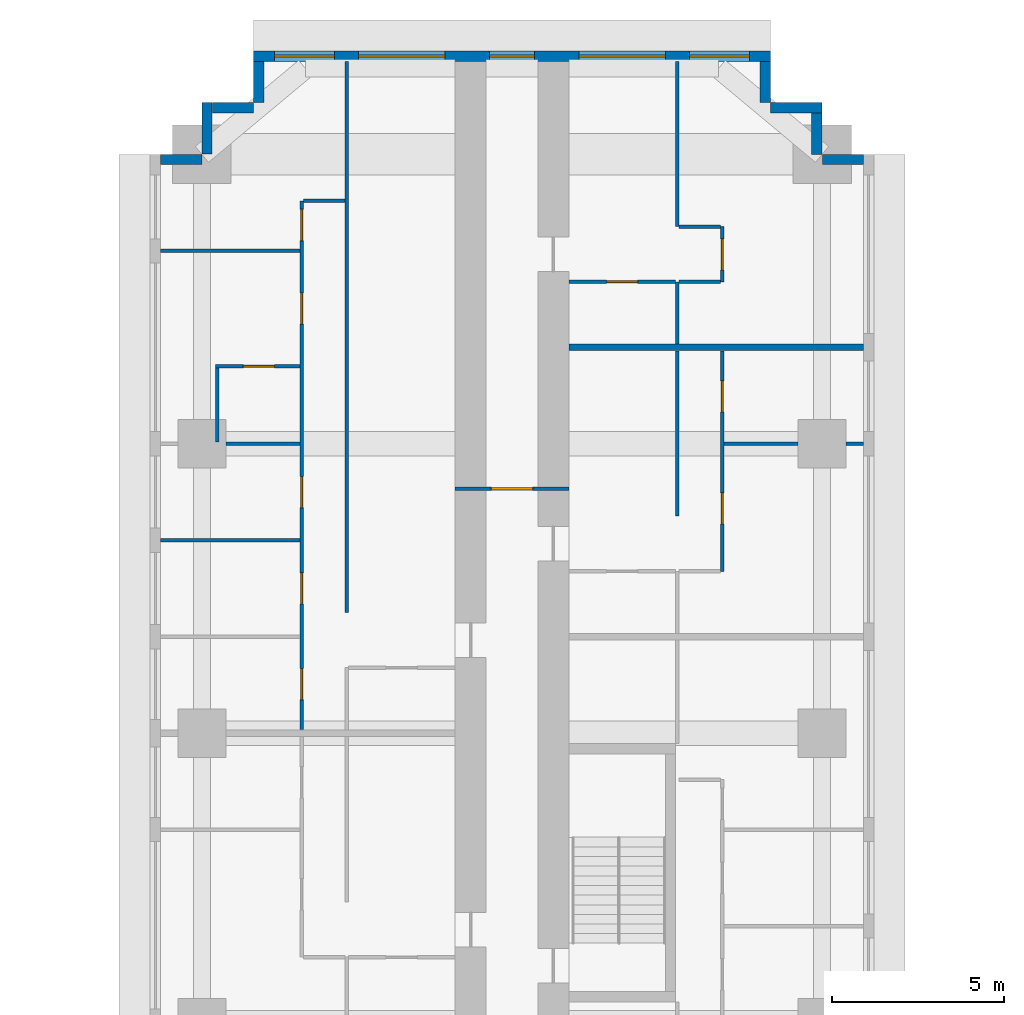
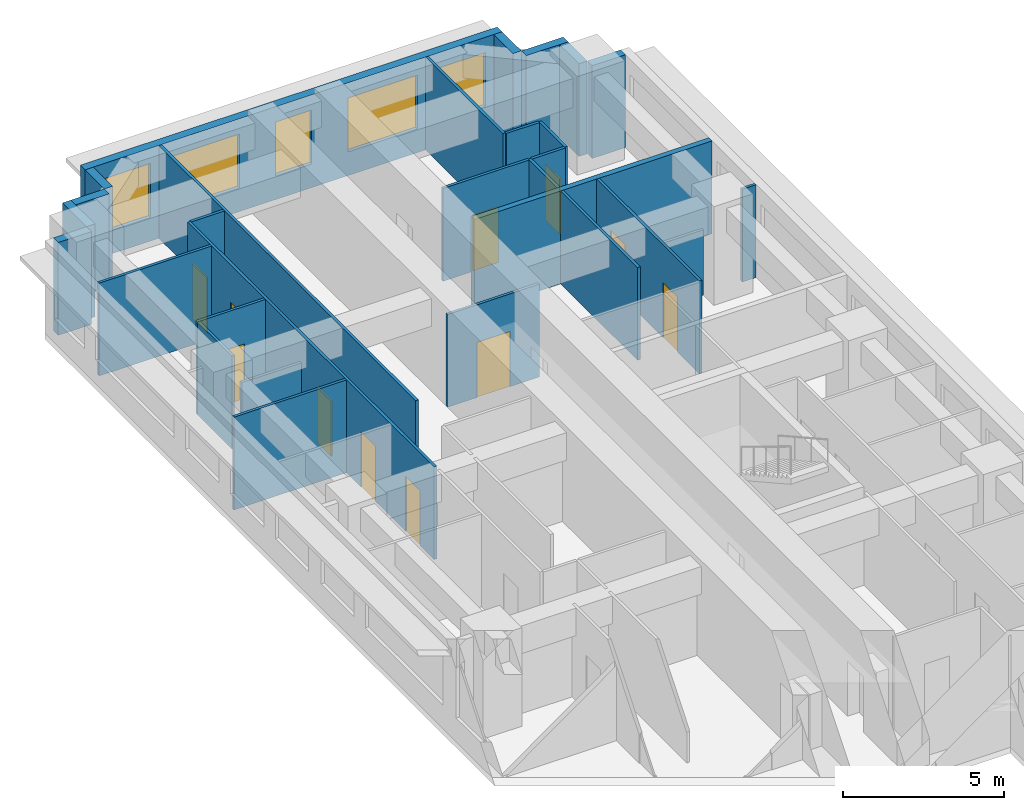
# One storey, part 13 of 15: 29 walls, 11 doors, 5 windows, 16 openings.
"""IFC4 building model written with IfcOpenShell, lengths in metres."""

from ifc_helpers import new_model, si_unit, direction, frame, frame_2d, origin, place, context, subcontext, project, spatial, rectangle, extrude, material, layer, layer_set, type_object, element, fill, save


model = new_model("IFC4")

# Units and contexts
model_context = context("Model", 3, precision=1e-05, world=origin(), true_north=direction((0.0, 1.0)))
body_context = subcontext(model_context, "Body", "Model", "MODEL_VIEW")
ifc_project = project(units=[si_unit("LENGTHUNIT", "METRE"), si_unit("AREAUNIT", "SQUARE_METRE"), si_unit("VOLUMEUNIT", "CUBIC_METRE"), si_unit("PLANEANGLEUNIT", "RADIAN"), si_unit("MASSUNIT", "GRAM", prefix="KILO")], contexts=[model_context])

# Site, building, storey
site_placement = place(None, origin())
site = spatial("IfcSite", under=ifc_project, at=site_placement, CompositionType="ELEMENT")
building_placement = place(site_placement, origin())
building = spatial("IfcBuilding", under=site, at=building_placement, Name="Impinga Residences", CompositionType="ELEMENT")
storey_placement = place(building_placement, frame((0.0, 0.0, 86.0)))
storey = spatial("IfcBuildingStorey", under=building, at=storey_placement, Name="L21", CompositionType="ELEMENT", Elevation=86.0)

# Wall, opening, door
ifc_material_1 = material(Name="Concrete blockwork", Category="masonry")
ifc_layer_1 = layer(ifc_material_1, 0.10009765625)
ifc_layer_set_1 = layer_set([ifc_layer_1], Name="CP1 core room partition, blockwork 100")
wall_type_1 = type_object("IfcWallType", Name="CP1 core room partition, blockwork 100", PredefinedType="PARTITIONING", material=ifc_layer_set_1)
wall_1_placement = place(storey_placement, frame((-1.64990234375, 35.33203125, 0.0), z_axis=(0.0, 0.0, 1.0), x_axis=(1.0, 0.0, 0.0)))
wall_1 = element("IfcWall", 1, at=wall_1_placement, inside=storey, type_object=wall_type_1, Name="Core room partition, blockwork L21:N:SCR", PredefinedType="PARTITIONING", context=body_context, shape_type="SweptSolid", body=[
    extrude(rectangle(XDim=3.2998046875, YDim=0.10009765625, at=frame_2d((1.64990234375, 0.0))), origin(), (0.0, 0.0, 1.0), 3.530029296875),
])
opening_1_placement = place(wall_1_placement, frame((1.050048828125, 0.0, 0.0)))
opening_1 = element("IfcOpeningElement", 2, at=opening_1_placement, cuts=wall_1, Name="Opening D3", PredefinedType="OPENING", context=body_context, shape_type="SweptSolid", body=[
    extrude(rectangle(XDim=1.199951171875, YDim=2.10009765625, at=frame_2d((0.60009765625, 1.050048828125))), frame((0.0, 0.06005859375, 0.0), z_axis=(0.0, -1.0, 0.0), x_axis=(1.0, 0.0, 0.0)), (0.0, 0.0, 1.0), 0.1201171875),
])
ifc_material_2 = material(Name="Timber door set", Category="wood")
door_type_1 = type_object("IfcDoorType", Name="D3 room door, leaf and a half 1200x2100", OperationType="DOUBLE_SWING_LEFT", PredefinedType="DOOR", material=ifc_material_2)
door_1_placement = place(opening_1_placement, origin())
door_1 = element("IfcDoor", 3, at=door_1_placement, inside=storey, type_object=door_type_1, Name="Corridor smoke door N", OperationType="DOUBLE_SWING_LEFT", OverallHeight=2.10009765625, OverallWidth=1.199951171875, PredefinedType="DOOR", context=body_context, shape_type="SweptSolid", body=[
    extrude(rectangle(XDim=1.199951171875, YDim=2.10009765625, at=frame_2d((0.60009765625, 1.050048828125))), frame((0.0, 0.02490234375, 0.0), z_axis=(0.0, -1.0, 0.0), x_axis=(1.0, 0.0, 0.0)), (0.0, 0.0, 1.0), 0.050048828125),
])
fill(opening_1, door_1)

# Walls
ifc_material_3 = material(Name="Terracotta rainscreen on blockwork", Category="masonry")
ifc_layer_2 = layer(ifc_material_3, 0.300048828125)
ifc_layer_set_2 = layer_set([ifc_layer_2], Name="EW1 external wall, terracotta rainscreen on blockwork 300")
wall_type_2 = type_object("IfcWallType", Name="EW1 external wall, terracotta rainscreen on blockwork 300", PredefinedType="SOLIDWALL", material=ifc_layer_set_2)
wall_2_placement = place(storey_placement, frame((-10.199951171875, 44.881591796875, 0.0), z_axis=(0.0, 0.0, 1.0), x_axis=(1.0, 0.0, 0.0)))
element("IfcWall", 4, at=wall_2_placement, inside=storey, type_object=wall_type_2, Name="External wall EW1 L21", PredefinedType="SOLIDWALL", context=body_context, shape_type="SweptSolid", body=[
    extrude(rectangle(XDim=1.199951171875, YDim=0.300048828125, at=frame_2d((0.60009765625, 0.0))), origin(), (0.0, 0.0, 1.0), 3.530029296875),
])
wall_3_placement = place(storey_placement, frame((-8.85009765625, 45.03662109375, 0.0), z_axis=(0.0, 0.0, 1.0), x_axis=(0.0, 1.0, 0.0)))
element("IfcWall", 5, at=wall_3_placement, inside=storey, type_object=wall_type_2, Name="External wall EW1 L21", PredefinedType="SOLIDWALL", context=body_context, shape_type="SweptSolid", body=[
    extrude(rectangle(XDim=1.494873046875, YDim=0.300048828125, at=frame_2d((0.74755859375, 0.0))), origin(), (0.0, 0.0, 1.0), 3.530029296875),
])
wall_4_placement = place(storey_placement, frame((-8.699951171875, 46.381591796875, 0.0), z_axis=(0.0, 0.0, 1.0), x_axis=(1.0, 0.0, 0.0)))
element("IfcWall", 6, at=wall_4_placement, inside=storey, type_object=wall_type_2, Name="External wall EW1 L21", PredefinedType="SOLIDWALL", context=body_context, shape_type="SweptSolid", body=[
    extrude(rectangle(XDim=1.199951171875, YDim=0.300048828125, at=frame_2d((0.60009765625, 0.0))), origin(), (0.0, 0.0, 1.0), 3.530029296875),
])
wall_5_placement = place(storey_placement, frame((-7.35009765625, 46.53662109375, 0.0), z_axis=(0.0, 0.0, 1.0), x_axis=(0.0, 1.0, 0.0)))
element("IfcWall", 7, at=wall_5_placement, inside=storey, type_object=wall_type_2, Name="External wall EW1 L21", PredefinedType="SOLIDWALL", context=body_context, shape_type="SweptSolid", body=[
    extrude(rectangle(XDim=1.19482421875, YDim=0.300048828125, at=frame_2d((0.597412109375, 0.0))), origin(), (0.0, 0.0, 1.0), 3.530029296875),
])

# Wall, openings, windows
wall_6_placement = place(storey_placement, frame((-7.5, 47.881591796875, 0.0), z_axis=(0.0, 0.0, 1.0), x_axis=(1.0, 0.0, 0.0)))
wall_6 = element("IfcWall", 8, at=wall_6_placement, inside=storey, type_object=wall_type_2, Name="External wall EW1 L21", PredefinedType="SOLIDWALL", context=body_context, shape_type="SweptSolid", body=[
    extrude(rectangle(XDim=15.0, YDim=0.300048828125, at=frame_2d((7.5, 0.0))), origin(), (0.0, 0.0, 1.0), 3.530029296875),
])
opening_2_placement = place(wall_6_placement, frame((0.60009765625, 0.0, 0.89990234375)))
opening_2 = element("IfcOpeningElement", 9, at=opening_2_placement, cuts=wall_6, Name="Opening W1", PredefinedType="OPENING", context=body_context, shape_type="SweptSolid", body=[
    extrude(rectangle(XDim=1.75, YDim=2.050048828125, at=frame_2d((0.875, 1.02490234375))), frame((0.0, 0.159912109375, 0.0), z_axis=(0.0, -1.0, 0.0), x_axis=(1.0, 0.0, 0.0)), (0.0, 0.0, 1.0), 0.320068359375),
])
opening_3_placement = place(wall_6_placement, frame((3.050048828125, 0.0, 0.89990234375)))
opening_3 = element("IfcOpeningElement", 10, at=opening_3_placement, cuts=wall_6, Name="Opening W2", PredefinedType="OPENING", context=body_context, shape_type="SweptSolid", body=[
    extrude(rectangle(XDim=2.5, YDim=2.050048828125, at=frame_2d((1.25, 1.02490234375))), frame((0.0, 0.159912109375, 0.0), z_axis=(0.0, -1.0, 0.0), x_axis=(1.0, 0.0, 0.0)), (0.0, 0.0, 1.0), 0.320068359375),
])
opening_4_placement = place(wall_6_placement, frame((6.85009765625, 0.0, 0.89990234375)))
opening_4 = element("IfcOpeningElement", 11, at=opening_4_placement, cuts=wall_6, Name="Opening WE1", PredefinedType="OPENING", context=body_context, shape_type="SweptSolid", body=[
    extrude(rectangle(XDim=1.300048828125, YDim=2.050048828125, at=frame_2d((0.64990234375, 1.02490234375))), frame((0.0, 0.159912109375, 0.0), z_axis=(0.0, -1.0, 0.0), x_axis=(1.0, 0.0, 0.0)), (0.0, 0.0, 1.0), 0.320068359375),
])
opening_5_placement = place(wall_6_placement, frame((9.449951171875, 0.0, 0.89990234375)))
opening_5 = element("IfcOpeningElement", 12, at=opening_5_placement, cuts=wall_6, Name="Opening W2", PredefinedType="OPENING", context=body_context, shape_type="SweptSolid", body=[
    extrude(rectangle(XDim=2.5, YDim=2.050048828125, at=frame_2d((1.25, 1.02490234375))), frame((0.0, 0.159912109375, 0.0), z_axis=(0.0, -1.0, 0.0), x_axis=(1.0, 0.0, 0.0)), (0.0, 0.0, 1.0), 0.320068359375),
])
opening_6_placement = place(wall_6_placement, frame((12.64990234375, 0.0, 0.89990234375)))
opening_6 = element("IfcOpeningElement", 13, at=opening_6_placement, cuts=wall_6, Name="Opening W1", PredefinedType="OPENING", context=body_context, shape_type="SweptSolid", body=[
    extrude(rectangle(XDim=1.75, YDim=2.050048828125, at=frame_2d((0.875, 1.02490234375))), frame((0.0, 0.159912109375, 0.0), z_axis=(0.0, -1.0, 0.0), x_axis=(1.0, 0.0, 0.0)), (0.0, 0.0, 1.0), 0.320068359375),
])
ifc_material_4 = material(Name="Aluminium window, clear double glazing", Category="aluminium")
window_type_1 = type_object("IfcWindowType", Name="W1 ribbon window 1750x2050", PartitioningType="SINGLE_PANEL", PredefinedType="WINDOW", material=ifc_material_4)
window_1_placement = place(opening_2_placement, origin())
window_1 = element("IfcWindow", 14, at=window_1_placement, inside=storey, type_object=window_type_1, Name="Window L21", OverallHeight=2.050048828125, OverallWidth=1.75, PartitioningType="SINGLE_PANEL", PredefinedType="WINDOW", context=body_context, shape_type="SweptSolid", body=[
    extrude(rectangle(XDim=1.75, YDim=2.050048828125, at=frame_2d((0.875, 1.02490234375))), frame((0.0, 0.030029296875, 0.0), z_axis=(0.0, -1.0, 0.0), x_axis=(1.0, 0.0, 0.0)), (0.0, 0.0, 1.0), 0.06005859375),
])
fill(opening_2, window_1)
window_2_placement = place(opening_6_placement, origin())
window_2 = element("IfcWindow", 15, at=window_2_placement, inside=storey, type_object=window_type_1, Name="Window L21", OverallHeight=2.050048828125, OverallWidth=1.75, PartitioningType="SINGLE_PANEL", PredefinedType="WINDOW", context=body_context, shape_type="SweptSolid", body=[
    extrude(rectangle(XDim=1.75, YDim=2.050048828125, at=frame_2d((0.875, 1.02490234375))), frame((0.0, 0.030029296875, 0.0), z_axis=(0.0, -1.0, 0.0), x_axis=(1.0, 0.0, 0.0)), (0.0, 0.0, 1.0), 0.06005859375),
])
fill(opening_6, window_2)
window_type_2 = type_object("IfcWindowType", Name="W2 ribbon window 2500x2050", PartitioningType="SINGLE_PANEL", PredefinedType="WINDOW", material=ifc_material_4)
window_3_placement = place(opening_3_placement, origin())
window_3 = element("IfcWindow", 16, at=window_3_placement, inside=storey, type_object=window_type_2, Name="Window L21", OverallHeight=2.050048828125, OverallWidth=2.5, PartitioningType="SINGLE_PANEL", PredefinedType="WINDOW", context=body_context, shape_type="SweptSolid", body=[
    extrude(rectangle(XDim=2.5, YDim=2.050048828125, at=frame_2d((1.25, 1.02490234375))), frame((0.0, 0.030029296875, 0.0), z_axis=(0.0, -1.0, 0.0), x_axis=(1.0, 0.0, 0.0)), (0.0, 0.0, 1.0), 0.06005859375),
])
fill(opening_3, window_3)
window_4_placement = place(opening_5_placement, origin())
window_4 = element("IfcWindow", 17, at=window_4_placement, inside=storey, type_object=window_type_2, Name="Window L21", OverallHeight=2.050048828125, OverallWidth=2.5, PartitioningType="SINGLE_PANEL", PredefinedType="WINDOW", context=body_context, shape_type="SweptSolid", body=[
    extrude(rectangle(XDim=2.5, YDim=2.050048828125, at=frame_2d((1.25, 1.02490234375))), frame((0.0, 0.030029296875, 0.0), z_axis=(0.0, -1.0, 0.0), x_axis=(1.0, 0.0, 0.0)), (0.0, 0.0, 1.0), 0.06005859375),
])
fill(opening_5, window_4)
window_type_3 = type_object("IfcWindowType", Name="WE1 corridor window 1300x2050", PartitioningType="SINGLE_PANEL", PredefinedType="WINDOW", material=ifc_material_4)
window_5_placement = place(opening_4_placement, origin())
window_5 = element("IfcWindow", 18, at=window_5_placement, inside=storey, type_object=window_type_3, Name="Window L21", OverallHeight=2.050048828125, OverallWidth=1.300048828125, PartitioningType="SINGLE_PANEL", PredefinedType="WINDOW", context=body_context, shape_type="SweptSolid", body=[
    extrude(rectangle(XDim=1.300048828125, YDim=2.050048828125, at=frame_2d((0.64990234375, 1.02490234375))), frame((0.0, 0.030029296875, 0.0), z_axis=(0.0, -1.0, 0.0), x_axis=(1.0, 0.0, 0.0)), (0.0, 0.0, 1.0), 0.06005859375),
])
fill(opening_4, window_5)

# Walls
wall_7_placement = place(storey_placement, frame((7.35009765625, 47.7314453125, 0.0), z_axis=(0.0, 0.0, 1.0), x_axis=(0.0, -1.0, 0.0)))
element("IfcWall", 19, at=wall_7_placement, inside=storey, type_object=wall_type_2, Name="External wall EW1 L21", PredefinedType="SOLIDWALL", context=body_context, shape_type="SweptSolid", body=[
    extrude(rectangle(XDim=1.19482421875, YDim=0.300048828125, at=frame_2d((0.597412109375, 0.0))), origin(), (0.0, 0.0, 1.0), 3.530029296875),
])
wall_8_placement = place(storey_placement, frame((7.5, 46.381591796875, 0.0), z_axis=(0.0, 0.0, 1.0), x_axis=(1.0, 0.0, 0.0)))
element("IfcWall", 20, at=wall_8_placement, inside=storey, type_object=wall_type_2, Name="External wall EW1 L21", PredefinedType="SOLIDWALL", context=body_context, shape_type="SweptSolid", body=[
    extrude(rectangle(XDim=1.5, YDim=0.300048828125, at=frame_2d((0.75, 0.0))), origin(), (0.0, 0.0, 1.0), 3.530029296875),
])
wall_9_placement = place(storey_placement, frame((8.85009765625, 46.2314453125, 0.0), z_axis=(0.0, 0.0, 1.0), x_axis=(0.0, -1.0, 0.0)))
element("IfcWall", 21, at=wall_9_placement, inside=storey, type_object=wall_type_2, Name="External wall EW1 L21", PredefinedType="SOLIDWALL", context=body_context, shape_type="SweptSolid", body=[
    extrude(rectangle(XDim=1.199951171875, YDim=0.300048828125, at=frame_2d((0.60009765625, 0.0))), origin(), (0.0, 0.0, 1.0), 3.530029296875),
])
wall_10_placement = place(storey_placement, frame((9.0048828125, 44.881591796875, 0.0), z_axis=(0.0, 0.0, 1.0), x_axis=(1.0, 0.0, 0.0)))
element("IfcWall", 22, at=wall_10_placement, inside=storey, type_object=wall_type_2, Name="External wall EW1 L21", PredefinedType="SOLIDWALL", context=body_context, shape_type="SweptSolid", body=[
    extrude(rectangle(XDim=1.195068359375, YDim=0.300048828125, at=frame_2d((0.59765625, 0.0))), origin(), (0.0, 0.0, 1.0), 3.530029296875),
])
ifc_material_5 = material(Name="Gypsum board on steel studs", Category="steel")
ifc_layer_3 = layer(ifc_material_5, 0.10009765625)
ifc_layer_set_3 = layer_set([ifc_layer_3], Name="Gypsum board on steel studs")
wall_type_3 = type_object("IfcWallType", Name="IP1 partition 100", PredefinedType="PARTITIONING", material=ifc_layer_set_3)
wall_11_placement = place(storey_placement, frame((-4.800048828125, 31.7314453125, 0.0), z_axis=(0.0, 0.0, 1.0), x_axis=(0.0, 1.0, 0.0)))
element("IfcWall", 23, at=wall_11_placement, inside=storey, type_object=wall_type_3, Name="Partition L21-NA3:DIV1", PredefinedType="PARTITIONING", context=body_context, shape_type="SweptSolid", body=[
    extrude(rectangle(XDim=16.0, YDim=0.10009765625, at=frame_2d((8.0, 0.0))), origin(), (0.0, 0.0, 1.0), 3.530029296875),
])

# Wall, openings, doors
wall_12_placement = place(storey_placement, frame((-6.10009765625, 28.33154296875, 0.0), z_axis=(0.0, 0.0, 1.0), x_axis=(0.0, 1.0, 0.0)))
wall_12 = element("IfcWall", 24, at=wall_12_placement, inside=storey, type_object=wall_type_3, Name="Partition L21-NA3:STRIP", PredefinedType="PARTITIONING", context=body_context, shape_type="SweptSolid", body=[
    extrude(rectangle(XDim=15.35009765625, YDim=0.10009765625, at=frame_2d((7.675048828125, 0.0))), origin(), (0.0, 0.0, 1.0), 3.530029296875),
])
opening_7_placement = place(wall_12_placement, frame((0.875, 0.0, 0.0)))
opening_7 = element("IfcOpeningElement", 25, at=opening_7_placement, cuts=wall_12, Name="Opening D2", PredefinedType="OPENING", context=body_context, shape_type="SweptSolid", body=[
    extrude(rectangle(XDim=0.89990234375, YDim=2.10009765625, at=frame_2d((0.449951171875, 1.050048828125))), frame((0.0, 0.06005859375, 0.0), z_axis=(0.0, -1.0, 0.0), x_axis=(1.0, 0.0, 0.0)), (0.0, 0.0, 1.0), 0.1201171875),
])
opening_8_placement = place(wall_12_placement, frame((3.64990234375, 0.0, 0.0)))
opening_8 = element("IfcOpeningElement", 26, at=opening_8_placement, cuts=wall_12, Name="Opening D2", PredefinedType="OPENING", context=body_context, shape_type="SweptSolid", body=[
    extrude(rectangle(XDim=0.89990234375, YDim=2.10009765625, at=frame_2d((0.449951171875, 1.050048828125))), frame((0.0, 0.06005859375, 0.0), z_axis=(0.0, -1.0, 0.0), x_axis=(1.0, 0.0, 0.0)), (0.0, 0.0, 1.0), 0.1201171875),
])
opening_9_placement = place(wall_12_placement, frame((6.449951171875, 0.0, 0.0)))
opening_9 = element("IfcOpeningElement", 27, at=opening_9_placement, cuts=wall_12, Name="Opening D2", PredefinedType="OPENING", context=body_context, shape_type="SweptSolid", body=[
    extrude(rectangle(XDim=0.89990234375, YDim=2.10009765625, at=frame_2d((0.449951171875, 1.050048828125))), frame((0.0, 0.06005859375, 0.0), z_axis=(0.0, -1.0, 0.0), x_axis=(1.0, 0.0, 0.0)), (0.0, 0.0, 1.0), 0.1201171875),
])
opening_10_placement = place(wall_12_placement, frame((11.77490234375, 0.0, 0.0)))
opening_10 = element("IfcOpeningElement", 28, at=opening_10_placement, cuts=wall_12, Name="Opening D2", PredefinedType="OPENING", context=body_context, shape_type="SweptSolid", body=[
    extrude(rectangle(XDim=0.89990234375, YDim=2.10009765625, at=frame_2d((0.449951171875, 1.050048828125))), frame((0.0, 0.06005859375, 0.0), z_axis=(0.0, -1.0, 0.0), x_axis=(1.0, 0.0, 0.0)), (0.0, 0.0, 1.0), 0.1201171875),
])
opening_11_placement = place(wall_12_placement, frame((14.199951171875, 0.0, 0.0)))
opening_11 = element("IfcOpeningElement", 29, at=opening_11_placement, cuts=wall_12, Name="Opening D2", PredefinedType="OPENING", context=body_context, shape_type="SweptSolid", body=[
    extrude(rectangle(XDim=0.89990234375, YDim=2.10009765625, at=frame_2d((0.449951171875, 1.050048828125))), frame((0.0, 0.06005859375, 0.0), z_axis=(0.0, -1.0, 0.0), x_axis=(1.0, 0.0, 0.0)), (0.0, 0.0, 1.0), 0.1201171875),
])
door_type_2 = type_object("IfcDoorType", Name="D2 internal door 900x2100", OperationType="SINGLE_SWING_LEFT", PredefinedType="DOOR", material=ifc_material_2)
door_2_placement = place(opening_7_placement, origin())
door_2 = element("IfcDoor", 30, at=door_2_placement, inside=storey, type_object=door_type_2, Name="Apartment L21-NA3 room door", OperationType="SINGLE_SWING_LEFT", OverallHeight=2.10009765625, OverallWidth=0.89990234375, PredefinedType="DOOR", context=body_context, shape_type="SweptSolid", body=[
    extrude(rectangle(XDim=0.89990234375, YDim=2.10009765625, at=frame_2d((0.449951171875, 1.050048828125))), frame((0.0, 0.02490234375, 0.0), z_axis=(0.0, -1.0, 0.0), x_axis=(1.0, 0.0, 0.0)), (0.0, 0.0, 1.0), 0.050048828125),
])
fill(opening_7, door_2)
door_3_placement = place(opening_8_placement, origin())
door_3 = element("IfcDoor", 31, at=door_3_placement, inside=storey, type_object=door_type_2, Name="Apartment L21-NA3 room door", OperationType="SINGLE_SWING_LEFT", OverallHeight=2.10009765625, OverallWidth=0.89990234375, PredefinedType="DOOR", context=body_context, shape_type="SweptSolid", body=[
    extrude(rectangle(XDim=0.89990234375, YDim=2.10009765625, at=frame_2d((0.449951171875, 1.050048828125))), frame((0.0, 0.02490234375, 0.0), z_axis=(0.0, -1.0, 0.0), x_axis=(1.0, 0.0, 0.0)), (0.0, 0.0, 1.0), 0.050048828125),
])
fill(opening_8, door_3)
door_4_placement = place(opening_9_placement, origin())
door_4 = element("IfcDoor", 32, at=door_4_placement, inside=storey, type_object=door_type_2, Name="Apartment L21-NA3 room door", OperationType="SINGLE_SWING_LEFT", OverallHeight=2.10009765625, OverallWidth=0.89990234375, PredefinedType="DOOR", context=body_context, shape_type="SweptSolid", body=[
    extrude(rectangle(XDim=0.89990234375, YDim=2.10009765625, at=frame_2d((0.449951171875, 1.050048828125))), frame((0.0, 0.02490234375, 0.0), z_axis=(0.0, -1.0, 0.0), x_axis=(1.0, 0.0, 0.0)), (0.0, 0.0, 1.0), 0.050048828125),
])
fill(opening_9, door_4)
door_5_placement = place(opening_10_placement, origin())
door_5 = element("IfcDoor", 33, at=door_5_placement, inside=storey, type_object=door_type_2, Name="Apartment L21-NA3 room door", OperationType="SINGLE_SWING_RIGHT", OverallHeight=2.10009765625, OverallWidth=0.89990234375, PredefinedType="DOOR", context=body_context, shape_type="SweptSolid", body=[
    extrude(rectangle(XDim=0.89990234375, YDim=2.10009765625, at=frame_2d((0.449951171875, 1.050048828125))), frame((0.0, 0.02490234375, 0.0), z_axis=(0.0, -1.0, 0.0), x_axis=(1.0, 0.0, 0.0)), (0.0, 0.0, 1.0), 0.050048828125),
])
fill(opening_10, door_5)
door_6_placement = place(opening_11_placement, origin())
door_6 = element("IfcDoor", 34, at=door_6_placement, inside=storey, type_object=door_type_2, Name="Apartment L21-NA3 room door", OperationType="SINGLE_SWING_RIGHT", OverallHeight=2.10009765625, OverallWidth=0.89990234375, PredefinedType="DOOR", context=body_context, shape_type="SweptSolid", body=[
    extrude(rectangle(XDim=0.89990234375, YDim=2.10009765625, at=frame_2d((0.449951171875, 1.050048828125))), frame((0.0, 0.02490234375, 0.0), z_axis=(0.0, -1.0, 0.0), x_axis=(1.0, 0.0, 0.0)), (0.0, 0.0, 1.0), 0.050048828125),
])
fill(opening_11, door_6)

# Walls
wall_13_placement = place(storey_placement, frame((-4.85009765625, 43.681640625, 0.0), z_axis=(0.0, 0.0, 1.0), x_axis=(-1.0, 0.0, 0.0)))
element("IfcWall", 35, at=wall_13_placement, inside=storey, type_object=wall_type_3, Name="Partition L21-NA3:SE1", PredefinedType="PARTITIONING", context=body_context, shape_type="SweptSolid", body=[
    extrude(rectangle(XDim=1.199951171875, YDim=0.10009765625, at=frame_2d((0.60009765625, 0.0))), origin(), (0.0, 0.0, 1.0), 3.530029296875),
])
wall_14_placement = place(storey_placement, frame((-6.14990234375, 33.83154296875, 0.0), z_axis=(0.0, 0.0, 1.0), x_axis=(-1.0, 0.0, 0.0)))
element("IfcWall", 36, at=wall_14_placement, inside=storey, type_object=wall_type_3, Name="Partition L21-NA3:OB2", PredefinedType="PARTITIONING", context=body_context, shape_type="SweptSolid", body=[
    extrude(rectangle(XDim=4.050048828125, YDim=0.10009765625, at=frame_2d((2.02490234375, 0.0))), origin(), (0.0, 0.0, 1.0), 3.530029296875),
])
wall_15_placement = place(storey_placement, frame((-6.14990234375, 36.631591796875, 0.0), z_axis=(0.0, 0.0, 1.0), x_axis=(-1.0, 0.0, 0.0)))
element("IfcWall", 37, at=wall_15_placement, inside=storey, type_object=wall_type_3, Name="Partition L21-NA3:OB3", PredefinedType="PARTITIONING", context=body_context, shape_type="SweptSolid", body=[
    extrude(rectangle(XDim=2.150146484375, YDim=0.10009765625, at=frame_2d((1.0751953125, 0.0))), origin(), (0.0, 0.0, 1.0), 2.47998046875),
])
wall_16_placement = place(storey_placement, frame((-6.14990234375, 42.2314453125, 0.0), z_axis=(0.0, 0.0, 1.0), x_axis=(-1.0, 0.0, 0.0)))
element("IfcWall", 38, at=wall_16_placement, inside=storey, type_object=wall_type_3, Name="Partition L21-NA3:OB4", PredefinedType="PARTITIONING", context=body_context, shape_type="SweptSolid", body=[
    extrude(rectangle(XDim=4.050048828125, YDim=0.10009765625, at=frame_2d((2.02490234375, 0.0))), origin(), (0.0, 0.0, 1.0), 3.530029296875),
])

# Wall, opening, door
wall_17_placement = place(storey_placement, frame((-6.14990234375, 38.881591796875, 0.0), z_axis=(0.0, 0.0, 1.0), x_axis=(-1.0, 0.0, 0.0)))
wall_17 = element("IfcWall", 39, at=wall_17_placement, inside=storey, type_object=wall_type_3, Name="Partition L21-NA3:EN1", PredefinedType="PARTITIONING", context=body_context, shape_type="SweptSolid", body=[
    extrude(rectangle(XDim=2.4501953125, YDim=0.10009765625, at=frame_2d((1.22509765625, 0.0))), origin(), (0.0, 0.0, 1.0), 3.530029296875),
])
opening_12_placement = place(wall_17_placement, frame((0.75, 0.0, 0.0)))
opening_12 = element("IfcOpeningElement", 40, at=opening_12_placement, cuts=wall_17, Name="Opening D2", PredefinedType="OPENING", context=body_context, shape_type="SweptSolid", body=[
    extrude(rectangle(XDim=0.89990234375, YDim=2.10009765625, at=frame_2d((0.449951171875, 1.050048828125))), frame((0.0, 0.06005859375, 0.0), z_axis=(0.0, -1.0, 0.0), x_axis=(1.0, 0.0, 0.0)), (0.0, 0.0, 1.0), 0.1201171875),
])
door_7_placement = place(opening_12_placement, origin())
door_7 = element("IfcDoor", 41, at=door_7_placement, inside=storey, type_object=door_type_2, Name="Apartment L21-NA3 en-suite door", OperationType="SINGLE_SWING_LEFT", OverallHeight=2.10009765625, OverallWidth=0.89990234375, PredefinedType="DOOR", context=body_context, shape_type="SweptSolid", body=[
    extrude(rectangle(XDim=0.89990234375, YDim=2.10009765625, at=frame_2d((0.449951171875, 1.050048828125))), frame((0.0, 0.02490234375, 0.0), z_axis=(0.0, -1.0, 0.0), x_axis=(1.0, 0.0, 0.0)), (0.0, 0.0, 1.0), 0.050048828125),
])
fill(opening_12, door_7)

# Walls
wall_18_placement = place(storey_placement, frame((-8.550048828125, 36.681640625, 0.0), z_axis=(0.0, 0.0, 1.0), x_axis=(0.0, 1.0, 0.0)))
element("IfcWall", 42, at=wall_18_placement, inside=storey, type_object=wall_type_3, Name="Partition L21-NA3:EN2", PredefinedType="PARTITIONING", context=body_context, shape_type="SweptSolid", body=[
    extrude(rectangle(XDim=2.14990234375, YDim=0.10009765625, at=frame_2d((1.074951171875, 0.0))), origin(), (0.0, 0.0, 1.0), 3.530029296875),
])
wall_19_placement = place(storey_placement, frame((4.800048828125, 34.531494140625, 0.0), z_axis=(0.0, 0.0, 1.0), x_axis=(0.0, 1.0, 0.0)))
element("IfcWall", 43, at=wall_19_placement, inside=storey, type_object=wall_type_3, Name="Partition L21-NF2:DIV1", PredefinedType="PARTITIONING", context=body_context, shape_type="SweptSolid", body=[
    extrude(rectangle(XDim=4.800048828125, YDim=0.10009765625, at=frame_2d((2.39990234375, 0.0))), origin(), (0.0, 0.0, 1.0), 3.530029296875),
])

# Wall, openings, doors
wall_20_placement = place(storey_placement, frame((6.10009765625, 32.931640625, 0.0), z_axis=(0.0, 0.0, 1.0), x_axis=(0.0, 1.0, 0.0)))
wall_20 = element("IfcWall", 44, at=wall_20_placement, inside=storey, type_object=wall_type_3, Name="Partition L21-NF2:STRIP", PredefinedType="PARTITIONING", context=body_context, shape_type="SweptSolid", body=[
    extrude(rectangle(XDim=6.39990234375, YDim=0.10009765625, at=frame_2d((3.199951171875, 0.0))), origin(), (0.0, 0.0, 1.0), 3.530029296875),
])
opening_13_placement = place(wall_20_placement, frame((1.375, 0.0, 0.0)))
opening_13 = element("IfcOpeningElement", 45, at=opening_13_placement, cuts=wall_20, Name="Opening D2", PredefinedType="OPENING", context=body_context, shape_type="SweptSolid", body=[
    extrude(rectangle(XDim=0.89990234375, YDim=2.10009765625, at=frame_2d((0.449951171875, 1.050048828125))), frame((0.0, 0.06005859375, 0.0), z_axis=(0.0, -1.0, 0.0), x_axis=(1.0, 0.0, 0.0)), (0.0, 0.0, 1.0), 0.1201171875),
])
opening_14_placement = place(wall_20_placement, frame((4.625, 0.0, 0.0)))
opening_14 = element("IfcOpeningElement", 46, at=opening_14_placement, cuts=wall_20, Name="Opening D2", PredefinedType="OPENING", context=body_context, shape_type="SweptSolid", body=[
    extrude(rectangle(XDim=0.89990234375, YDim=2.10009765625, at=frame_2d((0.449951171875, 1.050048828125))), frame((0.0, 0.06005859375, 0.0), z_axis=(0.0, -1.0, 0.0), x_axis=(1.0, 0.0, 0.0)), (0.0, 0.0, 1.0), 0.1201171875),
])
door_8_placement = place(opening_13_placement, origin())
door_8 = element("IfcDoor", 47, at=door_8_placement, inside=storey, type_object=door_type_2, Name="Apartment L21-NF2 room door", OperationType="SINGLE_SWING_LEFT", OverallHeight=2.10009765625, OverallWidth=0.89990234375, PredefinedType="DOOR", context=body_context, shape_type="SweptSolid", body=[
    extrude(rectangle(XDim=0.89990234375, YDim=2.10009765625, at=frame_2d((0.449951171875, 1.050048828125))), frame((0.0, 0.02490234375, 0.0), z_axis=(0.0, -1.0, 0.0), x_axis=(1.0, 0.0, 0.0)), (0.0, 0.0, 1.0), 0.050048828125),
])
fill(opening_13, door_8)
door_9_placement = place(opening_14_placement, origin())
door_9 = element("IfcDoor", 48, at=door_9_placement, inside=storey, type_object=door_type_2, Name="Apartment L21-NF2 room door", OperationType="SINGLE_SWING_RIGHT", OverallHeight=2.10009765625, OverallWidth=0.89990234375, PredefinedType="DOOR", context=body_context, shape_type="SweptSolid", body=[
    extrude(rectangle(XDim=0.89990234375, YDim=2.10009765625, at=frame_2d((0.449951171875, 1.050048828125))), frame((0.0, 0.02490234375, 0.0), z_axis=(0.0, -1.0, 0.0), x_axis=(1.0, 0.0, 0.0)), (0.0, 0.0, 1.0), 0.050048828125),
])
fill(opening_14, door_9)

# Walls
wall_21_placement = place(storey_placement, frame((6.14990234375, 36.631591796875, 0.0), z_axis=(0.0, 0.0, 1.0), x_axis=(1.0, 0.0, 0.0)))
element("IfcWall", 49, at=wall_21_placement, inside=storey, type_object=wall_type_3, Name="Partition L21-NF2:OB1", PredefinedType="PARTITIONING", context=body_context, shape_type="SweptSolid", body=[
    extrude(rectangle(XDim=2.150146484375, YDim=0.10009765625, at=frame_2d((1.0751953125, 0.0))), origin(), (0.0, 0.0, 1.0), 2.47998046875),
])
wall_22_placement = place(storey_placement, frame((9.699951171875, 36.631591796875, 0.0), z_axis=(0.0, 0.0, 1.0), x_axis=(1.0, 0.0, 0.0)))
element("IfcWall", 50, at=wall_22_placement, inside=storey, type_object=wall_type_3, Name="Partition L21-NF2:OB1b", PredefinedType="PARTITIONING", context=body_context, shape_type="SweptSolid", body=[
    extrude(rectangle(XDim=0.5, YDim=0.10009765625, at=frame_2d((0.25, 0.0))), origin(), (0.0, 0.0, 1.0), 3.530029296875),
])
wall_23_placement = place(storey_placement, frame((4.800048828125, 39.531494140625, 0.0), z_axis=(0.0, 0.0, 1.0), x_axis=(0.0, 1.0, 0.0)))
element("IfcWall", 51, at=wall_23_placement, inside=storey, type_object=wall_type_3, Name="Partition L21-NF3:DIV0", PredefinedType="PARTITIONING", context=body_context, shape_type="SweptSolid", body=[
    extrude(rectangle(XDim=1.800048828125, YDim=0.10009765625, at=frame_2d((0.89990234375, 0.0))), origin(), (0.0, 0.0, 1.0), 3.530029296875),
])
wall_24_placement = place(storey_placement, frame((4.800048828125, 42.931640625, 0.0), z_axis=(0.0, 0.0, 1.0), x_axis=(0.0, 1.0, 0.0)))
element("IfcWall", 52, at=wall_24_placement, inside=storey, type_object=wall_type_3, Name="Partition L21-NF3:DIV1", PredefinedType="PARTITIONING", context=body_context, shape_type="SweptSolid", body=[
    extrude(rectangle(XDim=4.7998046875, YDim=0.10009765625, at=frame_2d((2.39990234375, 0.0))), origin(), (0.0, 0.0, 1.0), 3.530029296875),
])

# Wall, opening, door
wall_25_placement = place(storey_placement, frame((6.10009765625, 41.33154296875, 0.0), z_axis=(0.0, 0.0, 1.0), x_axis=(0.0, 1.0, 0.0)))
wall_25 = element("IfcWall", 53, at=wall_25_placement, inside=storey, type_object=wall_type_3, Name="Partition L21-NF3:STRIP", PredefinedType="PARTITIONING", context=body_context, shape_type="SweptSolid", body=[
    extrude(rectangle(XDim=1.60009765625, YDim=0.10009765625, at=frame_2d((0.800048828125, 0.0))), origin(), (0.0, 0.0, 1.0), 3.530029296875),
])
opening_15_placement = place(wall_25_placement, frame((0.35009765625, 0.0, 0.0)))
opening_15 = element("IfcOpeningElement", 54, at=opening_15_placement, cuts=wall_25, Name="Opening D2", PredefinedType="OPENING", context=body_context, shape_type="SweptSolid", body=[
    extrude(rectangle(XDim=0.89990234375, YDim=2.10009765625, at=frame_2d((0.449951171875, 1.050048828125))), frame((0.0, 0.06005859375, 0.0), z_axis=(0.0, -1.0, 0.0), x_axis=(1.0, 0.0, 0.0)), (0.0, 0.0, 1.0), 0.1201171875),
])
door_10_placement = place(opening_15_placement, origin())
door_10 = element("IfcDoor", 55, at=door_10_placement, inside=storey, type_object=door_type_2, Name="Apartment L21-NF3 room door", OperationType="SINGLE_SWING_LEFT", OverallHeight=2.10009765625, OverallWidth=0.89990234375, PredefinedType="DOOR", context=body_context, shape_type="SweptSolid", body=[
    extrude(rectangle(XDim=0.89990234375, YDim=2.10009765625, at=frame_2d((0.449951171875, 1.050048828125))), frame((0.0, 0.02490234375, 0.0), z_axis=(0.0, -1.0, 0.0), x_axis=(1.0, 0.0, 0.0)), (0.0, 0.0, 1.0), 0.050048828125),
])
fill(opening_15, door_10)

# Walls
for number, where, z_axis, x_axis, name in (
    (56, (4.85009765625, 41.33154296875, 0.0), (0.0, 0.0, 1.0), (1.0, 0.0, 0.0), "Partition L21-NF3:SE0"),
    (57, (4.85009765625, 42.931640625, 0.0), (0.0, 0.0, 1.0), (1.0, 0.0, 0.0), "Partition L21-NF3:SE1"),
):
    element("IfcWall", number, at=place(storey_placement, frame(where, z_axis=z_axis, x_axis=x_axis)), inside=storey, type_object=wall_type_3, Name=name, PredefinedType="PARTITIONING", context=body_context, shape_type="SweptSolid", body=[
        extrude(rectangle(XDim=1.199951171875, YDim=0.10009765625, at=frame_2d((0.60009765625, 0.0))), origin(), (0.0, 0.0, 1.0), 3.530029296875),
    ])

# Wall, opening, door
wall_26_placement = place(storey_placement, frame((1.64990234375, 41.33154296875, 0.0), z_axis=(0.0, 0.0, 1.0), x_axis=(1.0, 0.0, 0.0)))
wall_26 = element("IfcWall", 58, at=wall_26_placement, inside=storey, type_object=wall_type_3, Name="Partition L21-NF3:IB1", PredefinedType="PARTITIONING", context=body_context, shape_type="SweptSolid", body=[
    extrude(rectangle(XDim=3.10009765625, YDim=0.10009765625, at=frame_2d((1.550048828125, 0.0))), origin(), (0.0, 0.0, 1.0), 3.530029296875),
])
opening_16_placement = place(wall_26_placement, frame((1.10009765625, 0.0, 0.0)))
opening_16 = element("IfcOpeningElement", 59, at=opening_16_placement, cuts=wall_26, Name="Opening D2", PredefinedType="OPENING", context=body_context, shape_type="SweptSolid", body=[
    extrude(rectangle(XDim=0.89990234375, YDim=2.10009765625, at=frame_2d((0.449951171875, 1.050048828125))), frame((0.0, 0.06005859375, 0.0), z_axis=(0.0, -1.0, 0.0), x_axis=(1.0, 0.0, 0.0)), (0.0, 0.0, 1.0), 0.1201171875),
])
door_11_placement = place(opening_16_placement, origin())
door_11 = element("IfcDoor", 60, at=door_11_placement, inside=storey, type_object=door_type_2, Name="Apartment L21-NF3 bathroom door", OperationType="SINGLE_SWING_LEFT", OverallHeight=2.10009765625, OverallWidth=0.89990234375, PredefinedType="DOOR", context=body_context, shape_type="SweptSolid", body=[
    extrude(rectangle(XDim=0.89990234375, YDim=2.10009765625, at=frame_2d((0.449951171875, 1.050048828125))), frame((0.0, 0.02490234375, 0.0), z_axis=(0.0, -1.0, 0.0), x_axis=(1.0, 0.0, 0.0)), (0.0, 0.0, 1.0), 0.050048828125),
])
fill(opening_16, door_11)

# Wall
ifc_layer_4 = layer(ifc_material_1, 0.199951171875)
ifc_layer_set_4 = layer_set([ifc_layer_4], Name="PW1 party wall between apartments 200")
wall_type_4 = type_object("IfcWallType", Name="PW1 party wall between apartments 200", PredefinedType="SOLIDWALL", material=ifc_layer_set_4)
wall_27_placement = place(storey_placement, frame((1.64990234375, 39.431640625, 0.0), z_axis=(0.0, 0.0, 1.0), x_axis=(1.0, 0.0, 0.0)))
element("IfcWall", 61, at=wall_27_placement, inside=storey, type_object=wall_type_4, Name="Party wall between apartments L21-NF2:PARTY", PredefinedType="SOLIDWALL", context=body_context, shape_type="SweptSolid", body=[
    extrude(rectangle(XDim=8.550048828125, YDim=0.199951171875, at=frame_2d((4.27490234375, 0.0))), origin(), (0.0, 0.0, 1.0), 3.530029296875),
])

save(model, "model.ifc")
